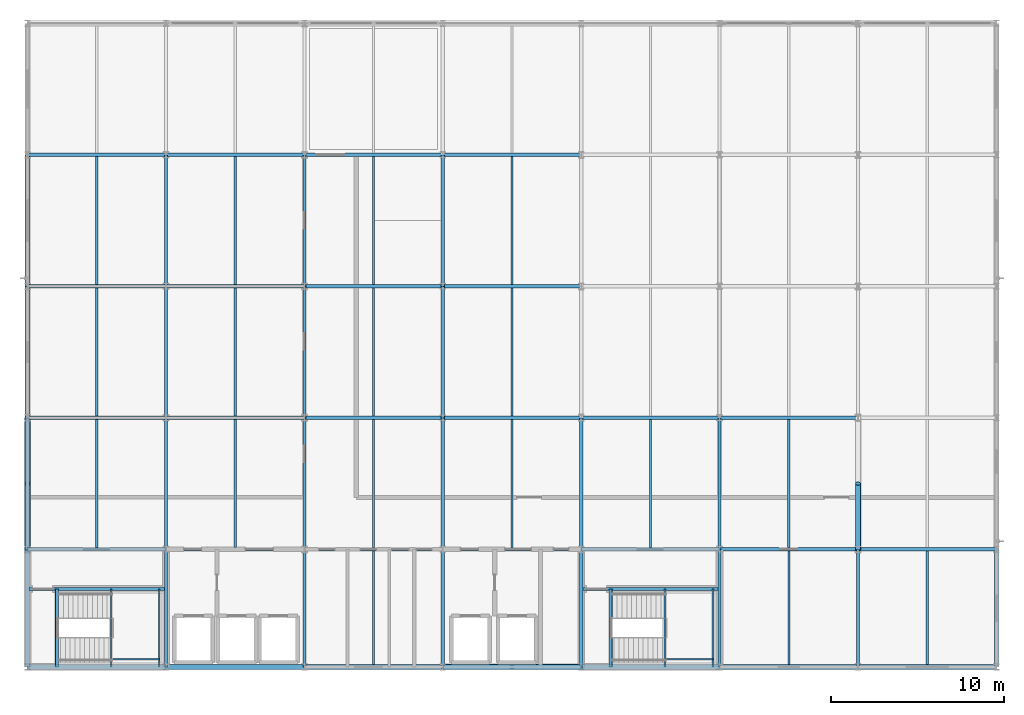
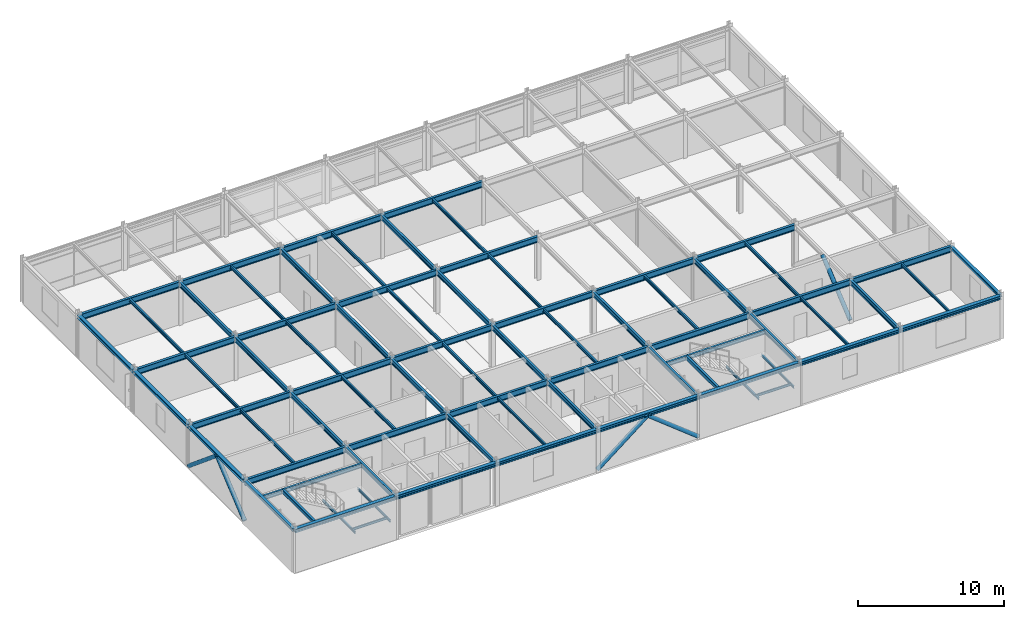
# One storey, part 4 of 15: 77 beams, 5 members.
"""IFC4 building model written with IfcOpenShell, lengths in metres."""

from ifc_helpers import new_model, si_unit, direction, frame, origin, origin_2d, place, context, subcontext, project, spatial, hollow_rectangle, hollow_circle, i_section, extrude, material, material_profile, profile_set, type_object, element, save


model = new_model("IFC4")

# Units and contexts
model_context = context("Model", 3, precision=1e-05, world=origin(), true_north=direction((0.0, 1.0)))
body_context = subcontext(model_context, "Body", "Model", "MODEL_VIEW")
ifc_project = project(units=[si_unit("LENGTHUNIT", "METRE"), si_unit("AREAUNIT", "SQUARE_METRE"), si_unit("VOLUMEUNIT", "CUBIC_METRE"), si_unit("PLANEANGLEUNIT", "RADIAN"), si_unit("MASSUNIT", "GRAM", prefix="KILO")], contexts=[model_context])

# Site, building, storey
site_placement = place(None, origin())
site = spatial("IfcSite", under=ifc_project, at=site_placement, CompositionType="ELEMENT")
building_placement = place(site_placement, origin())
building = spatial("IfcBuilding", under=site, at=building_placement, Name="Shalkamar Park Central Library", CompositionType="ELEMENT")
storey_placement = place(building_placement, frame((0.0, 0.0, 47.699951171875)))
storey = spatial("IfcBuildingStorey", under=building, at=storey_placement, Name="L12", CompositionType="ELEMENT", Elevation=47.699951171875)

# Beams
ifc_material = material(Name="Steel S355", Category="steel")
ifc_material_profile_1 = material_profile(ifc_material, i_section(OverallWidth=0.10009765625, OverallDepth=0.199951171875, WebThickness=0.005615234375, FlangeThickness=0.008544921875, FilletRadius=0.011962890625, at=origin_2d()), Name="IPE 200")
ifc_profile_set_1 = profile_set([ifc_material_profile_1], Name="Steel S355")
beam_type_1 = type_object("IfcBeamType", Name="Composite Floor Joist IPE200", PredefinedType="JOIST", material=ifc_profile_set_1)
for number, where, z_axis, x_axis, name in (
    (1, (169.840087890625, 248.39990234375, 1.570068359375), (0.0, 1.0, 0.0), (-1.0, 0.0, 0.0), "Stair Half-Landing Beam ST-T1-L12-1"),
    (2, (172.6201171875, 248.39990234375, 1.570068359375), (0.0, 1.0, 0.0), (-1.0, 0.0, 0.0), "Stair Half-Landing Beam ST-T1-L12-2"),
):
    element("IfcBeam", number, at=place(storey_placement, frame(where, z_axis=z_axis, x_axis=x_axis)), inside=storey, type_object=beam_type_1, Name=name, PredefinedType="JOIST", context=body_context, shape_type="SweptSolid", body=[
        extrude(i_section(OverallWidth=0.10009765625, OverallDepth=0.199951171875, WebThickness=0.005615234375, FlangeThickness=0.008544921875, FilletRadius=0.011962890625, at=origin_2d()), origin(), (0.0, 0.0, 1.0), 4.5),
    ])
beam_1_placement = place(storey_placement, frame((169.840087890625, 248.85009765625, 1.570068359375), z_axis=(1.0, 0.0, 0.0), x_axis=(0.0, 1.0, 0.0)))
element("IfcBeam", 3, at=beam_1_placement, inside=storey, type_object=beam_type_1, Name="Stair Half-Landing Cross Tie ST-T1-L12-3", PredefinedType="JOIST", context=body_context, shape_type="SweptSolid", body=[
    extrude(i_section(OverallWidth=0.10009765625, OverallDepth=0.199951171875, WebThickness=0.005615234375, FlangeThickness=0.008544921875, FilletRadius=0.011962890625, at=origin_2d()), origin(), (0.0, 0.0, 1.0), 2.780029296875),
])
for number, where, z_axis, x_axis, name in (
    (4, (201.840087890625, 248.39990234375, 1.570068359375), (0.0, 1.0, 0.0), (-1.0, 0.0, 0.0), "Stair Half-Landing Beam ST-T2-L12-1"),
    (5, (204.6201171875, 248.39990234375, 1.570068359375), (0.0, 1.0, 0.0), (-1.0, 0.0, 0.0), "Stair Half-Landing Beam ST-T2-L12-2"),
):
    element("IfcBeam", number, at=place(storey_placement, frame(where, z_axis=z_axis, x_axis=x_axis)), inside=storey, type_object=beam_type_1, Name=name, PredefinedType="JOIST", context=body_context, shape_type="SweptSolid", body=[
        extrude(i_section(OverallWidth=0.10009765625, OverallDepth=0.199951171875, WebThickness=0.005615234375, FlangeThickness=0.008544921875, FilletRadius=0.011962890625, at=origin_2d()), origin(), (0.0, 0.0, 1.0), 4.5),
    ])
beam_2_placement = place(storey_placement, frame((201.840087890625, 248.85009765625, 1.570068359375), z_axis=(1.0, 0.0, 0.0), x_axis=(0.0, 1.0, 0.0)))
element("IfcBeam", 6, at=beam_2_placement, inside=storey, type_object=beam_type_1, Name="Stair Half-Landing Cross Tie ST-T2-L12-3", PredefinedType="JOIST", context=body_context, shape_type="SweptSolid", body=[
    extrude(i_section(OverallWidth=0.10009765625, OverallDepth=0.199951171875, WebThickness=0.005615234375, FlangeThickness=0.008544921875, FilletRadius=0.011962890625, at=origin_2d()), origin(), (0.0, 0.0, 1.0), 2.780029296875),
])
ifc_material_profile_2 = material_profile(ifc_material, i_section(OverallWidth=0.1201171875, OverallDepth=0.239990234375, WebThickness=0.006103515625, FlangeThickness=0.009765625, FilletRadius=0.014892578125, at=origin_2d()), Name="IPE 240")
ifc_profile_set_2 = profile_set([ifc_material_profile_2], Name="Steel S355")
beam_type_2 = type_object("IfcBeamType", Name="Composite Floor Joist IPE240", PredefinedType="JOIST", material=ifc_profile_set_2)
for number, where, z_axis, x_axis, name in (
    (7, (185.0, 248.548095703125, 3.489990234375), (0.0, 1.0, 0.0), (-1.0, 0.0, 0.0), "Composite Joist 09/B-1 (L12)"),
    (8, (209.0, 248.548095703125, 3.489990234375), (0.0, 1.0, 0.0), (-1.0, 0.0, 0.0), "Composite Joist 12/B-1 (L12)"),
    (9, (217.0, 248.548095703125, 3.489990234375), (0.0, 1.0, 0.0), (-1.0, 0.0, 0.0), "Composite Joist 13/B-1 (L12)"),
):
    element("IfcBeam", number, at=place(storey_placement, frame(where, z_axis=z_axis, x_axis=x_axis)), inside=storey, type_object=beam_type_2, Name=name, PredefinedType="JOIST", context=body_context, shape_type="SweptSolid", body=[
        extrude(i_section(OverallWidth=0.1201171875, OverallDepth=0.239990234375, WebThickness=0.006103515625, FlangeThickness=0.009765625, FilletRadius=0.014892578125, at=origin_2d()), origin(), (0.0, 0.0, 1.0), 6.553955078125),
    ])
ifc_material_profile_3 = material_profile(ifc_material, i_section(OverallWidth=0.135009765625, OverallDepth=0.27001953125, WebThickness=0.006591796875, FlangeThickness=0.01025390625, FilletRadius=0.014892578125, at=origin_2d()), Name="IPE 270")
ifc_profile_set_3 = profile_set([ifc_material_profile_3], Name="Steel S355")
beam_type_3 = type_object("IfcBeamType", Name="Composite Floor Joist IPE270", PredefinedType="JOIST", material=ifc_profile_set_3)
beam_3_placement = place(storey_placement, frame((169.0, 255.298095703125, 3.47509765625), z_axis=(0.0, 1.0, 0.0), x_axis=(-1.0, 0.0, 0.0)))
element("IfcBeam", 10, at=beam_3_placement, inside=storey, type_object=beam_type_3, Name="Composite Joist 07/C-1 (L12)", PredefinedType="JOIST", context=body_context, shape_type="SweptSolid", body=[
    extrude(i_section(OverallWidth=0.135009765625, OverallDepth=0.27001953125, WebThickness=0.006591796875, FlangeThickness=0.01025390625, FilletRadius=0.014892578125, at=origin_2d()), origin(), (0.0, 0.0, 1.0), 7.40380859375),
])
for number, where, z_axis, x_axis, name in (
    (11, (169.0, 262.89794921875, 3.47509765625), (0.0, 1.0, 0.0), (-1.0, 0.0, 0.0), "Composite Joist 07/D-1 (L12)"),
    (12, (169.0, 270.498046875, 3.47509765625), (0.0, 1.0, 0.0), (-1.0, 0.0, 0.0), "Composite Joist 07/E-1 (L12)"),
):
    element("IfcBeam", number, at=place(storey_placement, frame(where, z_axis=z_axis, x_axis=x_axis)), inside=storey, type_object=beam_type_3, Name=name, PredefinedType="JOIST", context=body_context, shape_type="SweptSolid", body=[
        extrude(i_section(OverallWidth=0.135009765625, OverallDepth=0.27001953125, WebThickness=0.006591796875, FlangeThickness=0.01025390625, FilletRadius=0.014892578125, at=origin_2d()), origin(), (0.0, 0.0, 1.0), 7.404052734375),
    ])
beam_4_placement = place(storey_placement, frame((177.0, 255.298095703125, 3.47509765625), z_axis=(0.0, 1.0, 0.0), x_axis=(-1.0, 0.0, 0.0)))
element("IfcBeam", 13, at=beam_4_placement, inside=storey, type_object=beam_type_3, Name="Composite Joist 08/C-1 (L12)", PredefinedType="JOIST", context=body_context, shape_type="SweptSolid", body=[
    extrude(i_section(OverallWidth=0.135009765625, OverallDepth=0.27001953125, WebThickness=0.006591796875, FlangeThickness=0.01025390625, FilletRadius=0.014892578125, at=origin_2d()), origin(), (0.0, 0.0, 1.0), 7.40380859375),
])
for number, where, z_axis, x_axis, name in (
    (14, (177.0, 262.89794921875, 3.47509765625), (0.0, 1.0, 0.0), (-1.0, 0.0, 0.0), "Composite Joist 08/D-1 (L12)"),
    (15, (177.0, 270.498046875, 3.47509765625), (0.0, 1.0, 0.0), (-1.0, 0.0, 0.0), "Composite Joist 08/E-1 (L12)"),
):
    element("IfcBeam", number, at=place(storey_placement, frame(where, z_axis=z_axis, x_axis=x_axis)), inside=storey, type_object=beam_type_3, Name=name, PredefinedType="JOIST", context=body_context, shape_type="SweptSolid", body=[
        extrude(i_section(OverallWidth=0.135009765625, OverallDepth=0.27001953125, WebThickness=0.006591796875, FlangeThickness=0.01025390625, FilletRadius=0.014892578125, at=origin_2d()), origin(), (0.0, 0.0, 1.0), 7.404052734375),
    ])
beam_5_placement = place(storey_placement, frame((185.0, 255.298095703125, 3.47509765625), z_axis=(0.0, 1.0, 0.0), x_axis=(-1.0, 0.0, 0.0)))
element("IfcBeam", 16, at=beam_5_placement, inside=storey, type_object=beam_type_3, Name="Composite Joist 09/C-1 (L12)", PredefinedType="JOIST", context=body_context, shape_type="SweptSolid", body=[
    extrude(i_section(OverallWidth=0.135009765625, OverallDepth=0.27001953125, WebThickness=0.006591796875, FlangeThickness=0.01025390625, FilletRadius=0.014892578125, at=origin_2d()), origin(), (0.0, 0.0, 1.0), 7.40380859375),
])
for number, where, z_axis, x_axis, name in (
    (17, (185.0, 262.89794921875, 3.47509765625), (0.0, 1.0, 0.0), (-1.0, 0.0, 0.0), "Composite Joist 09/D-1 (L12)"),
    (18, (185.0, 270.498046875, 3.47509765625), (0.0, 1.0, 0.0), (-1.0, 0.0, 0.0), "Composite Joist 09/E-1 (L12)"),
):
    element("IfcBeam", number, at=place(storey_placement, frame(where, z_axis=z_axis, x_axis=x_axis)), inside=storey, type_object=beam_type_3, Name=name, PredefinedType="JOIST", context=body_context, shape_type="SweptSolid", body=[
        extrude(i_section(OverallWidth=0.135009765625, OverallDepth=0.27001953125, WebThickness=0.006591796875, FlangeThickness=0.01025390625, FilletRadius=0.014892578125, at=origin_2d()), origin(), (0.0, 0.0, 1.0), 7.404052734375),
    ])
beam_6_placement = place(storey_placement, frame((193.0, 255.298095703125, 3.47509765625), z_axis=(0.0, 1.0, 0.0), x_axis=(-1.0, 0.0, 0.0)))
element("IfcBeam", 19, at=beam_6_placement, inside=storey, type_object=beam_type_3, Name="Composite Joist 10/C-1 (L12)", PredefinedType="JOIST", context=body_context, shape_type="SweptSolid", body=[
    extrude(i_section(OverallWidth=0.135009765625, OverallDepth=0.27001953125, WebThickness=0.006591796875, FlangeThickness=0.01025390625, FilletRadius=0.014892578125, at=origin_2d()), origin(), (0.0, 0.0, 1.0), 7.40380859375),
])
for number, where, z_axis, x_axis, name in (
    (20, (193.0, 262.89794921875, 3.47509765625), (0.0, 1.0, 0.0), (-1.0, 0.0, 0.0), "Composite Joist 10/D-1 (L12)"),
    (21, (193.0, 270.498046875, 3.47509765625), (0.0, 1.0, 0.0), (-1.0, 0.0, 0.0), "Composite Joist 10/E-1 (L12)"),
):
    element("IfcBeam", number, at=place(storey_placement, frame(where, z_axis=z_axis, x_axis=x_axis)), inside=storey, type_object=beam_type_3, Name=name, PredefinedType="JOIST", context=body_context, shape_type="SweptSolid", body=[
        extrude(i_section(OverallWidth=0.135009765625, OverallDepth=0.27001953125, WebThickness=0.006591796875, FlangeThickness=0.01025390625, FilletRadius=0.014892578125, at=origin_2d()), origin(), (0.0, 0.0, 1.0), 7.404052734375),
    ])
for number, where, z_axis, x_axis, name in (
    (22, (201.0, 255.298095703125, 3.47509765625), (0.0, 1.0, 0.0), (-1.0, 0.0, 0.0), "Composite Joist 11/C-1 (L12)"),
    (23, (209.0, 255.298095703125, 3.47509765625), (0.0, 1.0, 0.0), (-1.0, 0.0, 0.0), "Composite Joist 12/C-1 (L12)"),
):
    element("IfcBeam", number, at=place(storey_placement, frame(where, z_axis=z_axis, x_axis=x_axis)), inside=storey, type_object=beam_type_3, Name=name, PredefinedType="JOIST", context=body_context, shape_type="SweptSolid", body=[
        extrude(i_section(OverallWidth=0.135009765625, OverallDepth=0.27001953125, WebThickness=0.006591796875, FlangeThickness=0.01025390625, FilletRadius=0.014892578125, at=origin_2d()), origin(), (0.0, 0.0, 1.0), 7.40380859375),
    ])

# Members
ifc_material_profile_4 = material_profile(ifc_material, hollow_circle(Radius=0.161865234375, WallThickness=0.012451171875, at=origin_2d()), Name="CHS 323.9x12.5")
ifc_profile_set_4 = profile_set([ifc_material_profile_4], Name="Steel S355")
member_type = type_object("IfcMemberType", Name="Diagonal Brace CHS323", PredefinedType="BRACE", material=ifc_profile_set_4)
for number, where, z_axis, x_axis, name in (
    (24, (165.0, 255.199951171875, 0.150146484375), (0.0, 0.768897051899, 0.639372601525), (-1.0, 0.0, 0.0), "Chevron Brace TW-W Leg A (L12)"),
    (25, (165.0, 262.800048828125, 0.150146484375), (0.0, -0.768897051899, 0.639372601525), (1.0, 0.0, 0.0), "Chevron Brace TW-W Leg B (L12)"),
    (26, (213.0, 255.199951171875, 0.150146484375), (0.0, 0.768897051899, 0.639372601525), (-1.0, 0.0, 0.0), "Chevron Brace TW-E Leg A (L12)"),
):
    element("IfcMember", number, at=place(storey_placement, frame(where, z_axis=z_axis, x_axis=x_axis)), inside=storey, type_object=member_type, Name=name, PredefinedType="BRACE", context=body_context, shape_type="SweptSolid", body=[
        extrude(hollow_circle(Radius=0.161865234375, WallThickness=0.012451171875, at=origin_2d()), origin(), (0.0, 0.0, 1.0), 4.942138671875),
    ])
for number, where, z_axis, x_axis, name in (
    (27, (189.0, 248.39990234375, 0.150146484375), (0.784690253871, 0.0, 0.619888058829), (0.0, 1.0, 0.0), "Chevron Brace TW-S Leg A (L12)"),
    (28, (197.0, 248.39990234375, 0.150146484375), (-0.784690253871, 0.0, 0.619888058829), (0.0, -1.0, 0.0), "Chevron Brace TW-S Leg B (L12)"),
):
    element("IfcMember", number, at=place(storey_placement, frame(where, z_axis=z_axis, x_axis=x_axis)), inside=storey, type_object=member_type, Name=name, PredefinedType="BRACE", context=body_context, shape_type="SweptSolid", body=[
        extrude(hollow_circle(Radius=0.161865234375, WallThickness=0.012451171875, at=origin_2d()), origin(), (0.0, 0.0, 1.0), 5.09765625),
    ])

# Beams
ifc_material_profile_5 = material_profile(ifc_material, i_section(OverallWidth=0.239990234375, OverallDepth=0.22998046875, WebThickness=0.007568359375, FlangeThickness=0.011962890625, FilletRadius=0.02099609375, at=origin_2d()), Name="HEA 240")
ifc_profile_set_5 = profile_set([ifc_material_profile_5], Name="Steel S355")
beam_type_4 = type_object("IfcBeamType", Name="Perimeter Spandrel Beam HEA240", PredefinedType="SPANDREL", material=ifc_profile_set_5)
for number, where, z_axis, x_axis, name in (
    (29, (165.0, 248.39990234375, 3.4951171875), (0.0, 1.0, 0.0), (-1.0, 0.0, 0.0), "Beam 07:B-C (L12)"),
    (30, (221.0, 248.39990234375, 3.4951171875), (0.0, 1.0, 0.0), (-1.0, 0.0, 0.0), "Beam 14:B-C (L12)"),
):
    element("IfcBeam", number, at=place(storey_placement, frame(where, z_axis=z_axis, x_axis=x_axis)), inside=storey, type_object=beam_type_4, Name=name, PredefinedType="SPANDREL", context=body_context, shape_type="SweptSolid", body=[
        extrude(i_section(OverallWidth=0.239990234375, OverallDepth=0.22998046875, WebThickness=0.007568359375, FlangeThickness=0.011962890625, FilletRadius=0.02099609375, at=origin_2d()), origin(), (0.0, 0.0, 1.0), 6.800048828125),
    ])
ifc_material_profile_6 = material_profile(ifc_material, i_section(OverallWidth=0.280029296875, OverallDepth=0.27001953125, WebThickness=0.008056640625, FlangeThickness=0.012939453125, FilletRadius=0.02392578125, at=origin_2d()), Name="HEA 280")
ifc_profile_set_6 = profile_set([ifc_material_profile_6], Name="Steel S355")
beam_type_5 = type_object("IfcBeamType", Name="Perimeter Spandrel Beam HEA280", PredefinedType="SPANDREL", material=ifc_profile_set_6)
beam_7_placement = place(storey_placement, frame((165.0, 255.199951171875, 3.47509765625), z_axis=(0.0, 1.0, 0.0), x_axis=(-1.0, 0.0, 0.0)))
element("IfcBeam", 31, at=beam_7_placement, inside=storey, type_object=beam_type_5, Name="Beam 07:C-D (L12)", PredefinedType="SPANDREL", context=body_context, shape_type="SweptSolid", body=[
    extrude(i_section(OverallWidth=0.280029296875, OverallDepth=0.27001953125, WebThickness=0.008056640625, FlangeThickness=0.012939453125, FilletRadius=0.02392578125, at=origin_2d()), origin(), (0.0, 0.0, 1.0), 7.60009765625),
])
beam_8_placement = place(storey_placement, frame((165.0, 262.800048828125, 3.47509765625), z_axis=(0.0, 1.0, 0.0), x_axis=(-1.0, 0.0, 0.0)))
element("IfcBeam", 32, at=beam_8_placement, inside=storey, type_object=beam_type_5, Name="Beam 07:D-E (L12)", PredefinedType="SPANDREL", context=body_context, shape_type="SweptSolid", body=[
    extrude(i_section(OverallWidth=0.280029296875, OverallDepth=0.27001953125, WebThickness=0.008056640625, FlangeThickness=0.012939453125, FilletRadius=0.02392578125, at=origin_2d()), origin(), (0.0, 0.0, 1.0), 7.599853515625),
])
beam_9_placement = place(storey_placement, frame((165.0, 270.39990234375, 3.47509765625), z_axis=(0.0, 1.0, 0.0), x_axis=(-1.0, 0.0, 0.0)))
element("IfcBeam", 33, at=beam_9_placement, inside=storey, type_object=beam_type_5, Name="Beam 07:E-F (L12)", PredefinedType="SPANDREL", context=body_context, shape_type="SweptSolid", body=[
    extrude(i_section(OverallWidth=0.280029296875, OverallDepth=0.27001953125, WebThickness=0.008056640625, FlangeThickness=0.012939453125, FilletRadius=0.02392578125, at=origin_2d()), origin(), (0.0, 0.0, 1.0), 7.60009765625),
])
ifc_material_profile_7 = material_profile(ifc_material, i_section(OverallWidth=0.300048828125, OverallDepth=0.31005859375, WebThickness=0.009033203125, FlangeThickness=0.015380859375, FilletRadius=0.027099609375, at=origin_2d()), Name="HEA 320")
ifc_profile_set_7 = profile_set([ifc_material_profile_7], Name="Steel S355")
beam_type_6 = type_object("IfcBeamType", Name="Perimeter Spandrel Beam HEA320", PredefinedType="SPANDREL", material=ifc_profile_set_7)
for number, where, z_axis, x_axis, name in (
    (34, (165.0, 248.39990234375, 3.455078125), (1.0, 0.0, 0.0), (0.0, 1.0, 0.0), "Beam B:07-08 (L12)"),
    (35, (173.0, 248.39990234375, 3.455078125), (1.0, 0.0, 0.0), (0.0, 1.0, 0.0), "Beam B:08-09 (L12)"),
    (36, (181.0, 248.39990234375, 3.455078125), (1.0, 0.0, 0.0), (0.0, 1.0, 0.0), "Beam B:09-10 (L12)"),
    (37, (189.0, 248.39990234375, 3.455078125), (1.0, 0.0, 0.0), (0.0, 1.0, 0.0), "Beam B:10-11 (L12)"),
    (38, (197.0, 248.39990234375, 3.455078125), (1.0, 0.0, 0.0), (0.0, 1.0, 0.0), "Beam B:11-12 (L12)"),
    (39, (205.0, 248.39990234375, 3.455078125), (1.0, 0.0, 0.0), (0.0, 1.0, 0.0), "Beam B:12-13 (L12)"),
    (40, (213.0, 248.39990234375, 3.455078125), (1.0, 0.0, 0.0), (0.0, 1.0, 0.0), "Beam B:13-14 (L12)"),
):
    element("IfcBeam", number, at=place(storey_placement, frame(where, z_axis=z_axis, x_axis=x_axis)), inside=storey, type_object=beam_type_6, Name=name, PredefinedType="SPANDREL", context=body_context, shape_type="SweptSolid", body=[
        extrude(i_section(OverallWidth=0.300048828125, OverallDepth=0.31005859375, WebThickness=0.009033203125, FlangeThickness=0.015380859375, FilletRadius=0.027099609375, at=origin_2d()), origin(), (0.0, 0.0, 1.0), 8.0),
    ])
ifc_material_profile_8 = material_profile(ifc_material, i_section(OverallWidth=0.169921875, OverallDepth=0.360107421875, WebThickness=0.008056640625, FlangeThickness=0.0126953125, FilletRadius=0.01806640625, at=origin_2d()), Name="IPE 360")
ifc_profile_set_8 = profile_set([ifc_material_profile_8], Name="Steel S355")
beam_type_7 = type_object("IfcBeamType", Name="Primary Girder IPE360", PredefinedType="BEAM", material=ifc_profile_set_8)
for number, where, z_axis, x_axis, name in (
    (41, (165.087890625, 252.89990234375, 3.429931640625), (1.0, 0.0, 0.0), (0.0, 1.0, 0.0), "CORE-T1 Stairwell Divider Beam (L12)"),
    (42, (197.087890625, 252.89990234375, 3.429931640625), (1.0, 0.0, 0.0), (0.0, 1.0, 0.0), "CORE-T2 Stairwell Divider Beam (L12)"),
):
    element("IfcBeam", number, at=place(storey_placement, frame(where, z_axis=z_axis, x_axis=x_axis)), inside=storey, type_object=beam_type_7, Name=name, PredefinedType="BEAM", context=body_context, shape_type="SweptSolid", body=[
        extrude(i_section(OverallWidth=0.169921875, OverallDepth=0.360107421875, WebThickness=0.008056640625, FlangeThickness=0.0126953125, FilletRadius=0.01806640625, at=origin_2d()), origin(), (0.0, 0.0, 1.0), 7.82421875),
    ])
ifc_material_profile_9 = material_profile(ifc_material, i_section(OverallWidth=0.179931640625, OverallDepth=0.39990234375, WebThickness=0.008544921875, FlangeThickness=0.013427734375, FilletRadius=0.02099609375, at=origin_2d()), Name="IPE 400")
ifc_profile_set_9 = profile_set([ifc_material_profile_9], Name="Steel S355")
beam_type_8 = type_object("IfcBeamType", Name="Primary Girder IPE400", PredefinedType="BEAM", material=ifc_profile_set_9)
beam_10_placement = place(storey_placement, frame((173.0, 248.39990234375, 3.41015625), z_axis=(0.0, 1.0, 0.0), x_axis=(-1.0, 0.0, 0.0)))
element("IfcBeam", 43, at=beam_10_placement, inside=storey, type_object=beam_type_8, Name="Beam 08:B-C (L12)", PredefinedType="BEAM", context=body_context, shape_type="SweptSolid", body=[
    extrude(i_section(OverallWidth=0.179931640625, OverallDepth=0.39990234375, WebThickness=0.008544921875, FlangeThickness=0.013427734375, FilletRadius=0.02099609375, at=origin_2d()), origin(), (0.0, 0.0, 1.0), 6.800048828125),
])
beam_11_placement = place(storey_placement, frame((173.0, 255.199951171875, 3.41015625), z_axis=(0.0, 1.0, 0.0), x_axis=(-1.0, 0.0, 0.0)))
element("IfcBeam", 44, at=beam_11_placement, inside=storey, type_object=beam_type_8, Name="Beam 08:C-D (L12)", PredefinedType="BEAM", context=body_context, shape_type="SweptSolid", body=[
    extrude(i_section(OverallWidth=0.179931640625, OverallDepth=0.39990234375, WebThickness=0.008544921875, FlangeThickness=0.013427734375, FilletRadius=0.02099609375, at=origin_2d()), origin(), (0.0, 0.0, 1.0), 7.60009765625),
])
beam_12_placement = place(storey_placement, frame((173.0, 262.800048828125, 3.41015625), z_axis=(0.0, 1.0, 0.0), x_axis=(-1.0, 0.0, 0.0)))
element("IfcBeam", 45, at=beam_12_placement, inside=storey, type_object=beam_type_8, Name="Beam 08:D-E (L12)", PredefinedType="BEAM", context=body_context, shape_type="SweptSolid", body=[
    extrude(i_section(OverallWidth=0.179931640625, OverallDepth=0.39990234375, WebThickness=0.008544921875, FlangeThickness=0.013427734375, FilletRadius=0.02099609375, at=origin_2d()), origin(), (0.0, 0.0, 1.0), 7.599853515625),
])
beam_13_placement = place(storey_placement, frame((173.0, 270.39990234375, 3.41015625), z_axis=(0.0, 1.0, 0.0), x_axis=(-1.0, 0.0, 0.0)))
element("IfcBeam", 46, at=beam_13_placement, inside=storey, type_object=beam_type_8, Name="Beam 08:E-F (L12)", PredefinedType="BEAM", context=body_context, shape_type="SweptSolid", body=[
    extrude(i_section(OverallWidth=0.179931640625, OverallDepth=0.39990234375, WebThickness=0.008544921875, FlangeThickness=0.013427734375, FilletRadius=0.02099609375, at=origin_2d()), origin(), (0.0, 0.0, 1.0), 7.60009765625),
])
beam_14_placement = place(storey_placement, frame((181.0, 248.39990234375, 3.41015625), z_axis=(0.0, 1.0, 0.0), x_axis=(-1.0, 0.0, 0.0)))
element("IfcBeam", 47, at=beam_14_placement, inside=storey, type_object=beam_type_8, Name="Beam 09:B-C (L12)", PredefinedType="BEAM", context=body_context, shape_type="SweptSolid", body=[
    extrude(i_section(OverallWidth=0.179931640625, OverallDepth=0.39990234375, WebThickness=0.008544921875, FlangeThickness=0.013427734375, FilletRadius=0.02099609375, at=origin_2d()), origin(), (0.0, 0.0, 1.0), 6.800048828125),
])
beam_15_placement = place(storey_placement, frame((181.0, 255.199951171875, 3.41015625), z_axis=(0.0, 1.0, 0.0), x_axis=(-1.0, 0.0, 0.0)))
element("IfcBeam", 48, at=beam_15_placement, inside=storey, type_object=beam_type_8, Name="Beam 09:C-D (L12)", PredefinedType="BEAM", context=body_context, shape_type="SweptSolid", body=[
    extrude(i_section(OverallWidth=0.179931640625, OverallDepth=0.39990234375, WebThickness=0.008544921875, FlangeThickness=0.013427734375, FilletRadius=0.02099609375, at=origin_2d()), origin(), (0.0, 0.0, 1.0), 7.60009765625),
])
beam_16_placement = place(storey_placement, frame((181.0, 262.800048828125, 3.41015625), z_axis=(0.0, 1.0, 0.0), x_axis=(-1.0, 0.0, 0.0)))
element("IfcBeam", 49, at=beam_16_placement, inside=storey, type_object=beam_type_8, Name="Beam 09:D-E (L12)", PredefinedType="BEAM", context=body_context, shape_type="SweptSolid", body=[
    extrude(i_section(OverallWidth=0.179931640625, OverallDepth=0.39990234375, WebThickness=0.008544921875, FlangeThickness=0.013427734375, FilletRadius=0.02099609375, at=origin_2d()), origin(), (0.0, 0.0, 1.0), 7.599853515625),
])
beam_17_placement = place(storey_placement, frame((181.0, 270.39990234375, 3.41015625), z_axis=(0.0, 1.0, 0.0), x_axis=(-1.0, 0.0, 0.0)))
element("IfcBeam", 50, at=beam_17_placement, inside=storey, type_object=beam_type_8, Name="Beam 09:E-F (L12)", PredefinedType="BEAM", context=body_context, shape_type="SweptSolid", body=[
    extrude(i_section(OverallWidth=0.179931640625, OverallDepth=0.39990234375, WebThickness=0.008544921875, FlangeThickness=0.013427734375, FilletRadius=0.02099609375, at=origin_2d()), origin(), (0.0, 0.0, 1.0), 7.60009765625),
])
beam_18_placement = place(storey_placement, frame((189.0, 248.39990234375, 3.41015625), z_axis=(0.0, 1.0, 0.0), x_axis=(-1.0, 0.0, 0.0)))
element("IfcBeam", 51, at=beam_18_placement, inside=storey, type_object=beam_type_8, Name="Beam 10:B-C (L12)", PredefinedType="BEAM", context=body_context, shape_type="SweptSolid", body=[
    extrude(i_section(OverallWidth=0.179931640625, OverallDepth=0.39990234375, WebThickness=0.008544921875, FlangeThickness=0.013427734375, FilletRadius=0.02099609375, at=origin_2d()), origin(), (0.0, 0.0, 1.0), 6.800048828125),
])
beam_19_placement = place(storey_placement, frame((189.0, 255.199951171875, 3.41015625), z_axis=(0.0, 1.0, 0.0), x_axis=(-1.0, 0.0, 0.0)))
element("IfcBeam", 52, at=beam_19_placement, inside=storey, type_object=beam_type_8, Name="Beam 10:C-D (L12)", PredefinedType="BEAM", context=body_context, shape_type="SweptSolid", body=[
    extrude(i_section(OverallWidth=0.179931640625, OverallDepth=0.39990234375, WebThickness=0.008544921875, FlangeThickness=0.013427734375, FilletRadius=0.02099609375, at=origin_2d()), origin(), (0.0, 0.0, 1.0), 7.60009765625),
])
beam_20_placement = place(storey_placement, frame((189.0, 262.800048828125, 3.41015625), z_axis=(0.0, 1.0, 0.0), x_axis=(-1.0, 0.0, 0.0)))
element("IfcBeam", 53, at=beam_20_placement, inside=storey, type_object=beam_type_8, Name="Beam 10:D-E (L12)", PredefinedType="BEAM", context=body_context, shape_type="SweptSolid", body=[
    extrude(i_section(OverallWidth=0.179931640625, OverallDepth=0.39990234375, WebThickness=0.008544921875, FlangeThickness=0.013427734375, FilletRadius=0.02099609375, at=origin_2d()), origin(), (0.0, 0.0, 1.0), 7.599853515625),
])
beam_21_placement = place(storey_placement, frame((189.0, 270.39990234375, 3.41015625), z_axis=(0.0, 1.0, 0.0), x_axis=(-1.0, 0.0, 0.0)))
element("IfcBeam", 54, at=beam_21_placement, inside=storey, type_object=beam_type_8, Name="Beam 10:E-F (L12)", PredefinedType="BEAM", context=body_context, shape_type="SweptSolid", body=[
    extrude(i_section(OverallWidth=0.179931640625, OverallDepth=0.39990234375, WebThickness=0.008544921875, FlangeThickness=0.013427734375, FilletRadius=0.02099609375, at=origin_2d()), origin(), (0.0, 0.0, 1.0), 7.60009765625),
])
beam_22_placement = place(storey_placement, frame((197.0, 248.39990234375, 3.41015625), z_axis=(0.0, 1.0, 0.0), x_axis=(-1.0, 0.0, 0.0)))
element("IfcBeam", 55, at=beam_22_placement, inside=storey, type_object=beam_type_8, Name="Beam 11:B-C (L12)", PredefinedType="BEAM", context=body_context, shape_type="SweptSolid", body=[
    extrude(i_section(OverallWidth=0.179931640625, OverallDepth=0.39990234375, WebThickness=0.008544921875, FlangeThickness=0.013427734375, FilletRadius=0.02099609375, at=origin_2d()), origin(), (0.0, 0.0, 1.0), 6.800048828125),
])
beam_23_placement = place(storey_placement, frame((197.0, 255.199951171875, 3.41015625), z_axis=(0.0, 1.0, 0.0), x_axis=(-1.0, 0.0, 0.0)))
element("IfcBeam", 56, at=beam_23_placement, inside=storey, type_object=beam_type_8, Name="Beam 11:C-D (L12)", PredefinedType="BEAM", context=body_context, shape_type="SweptSolid", body=[
    extrude(i_section(OverallWidth=0.179931640625, OverallDepth=0.39990234375, WebThickness=0.008544921875, FlangeThickness=0.013427734375, FilletRadius=0.02099609375, at=origin_2d()), origin(), (0.0, 0.0, 1.0), 7.60009765625),
])
beam_24_placement = place(storey_placement, frame((205.0, 248.39990234375, 3.41015625), z_axis=(0.0, 1.0, 0.0), x_axis=(-1.0, 0.0, 0.0)))
element("IfcBeam", 57, at=beam_24_placement, inside=storey, type_object=beam_type_8, Name="Beam 12:B-C (L12)", PredefinedType="BEAM", context=body_context, shape_type="SweptSolid", body=[
    extrude(i_section(OverallWidth=0.179931640625, OverallDepth=0.39990234375, WebThickness=0.008544921875, FlangeThickness=0.013427734375, FilletRadius=0.02099609375, at=origin_2d()), origin(), (0.0, 0.0, 1.0), 6.800048828125),
])
beam_25_placement = place(storey_placement, frame((205.0, 255.199951171875, 3.41015625), z_axis=(0.0, 1.0, 0.0), x_axis=(-1.0, 0.0, 0.0)))
element("IfcBeam", 58, at=beam_25_placement, inside=storey, type_object=beam_type_8, Name="Beam 12:C-D (L12)", PredefinedType="BEAM", context=body_context, shape_type="SweptSolid", body=[
    extrude(i_section(OverallWidth=0.179931640625, OverallDepth=0.39990234375, WebThickness=0.008544921875, FlangeThickness=0.013427734375, FilletRadius=0.02099609375, at=origin_2d()), origin(), (0.0, 0.0, 1.0), 7.60009765625),
])
beam_26_placement = place(storey_placement, frame((213.0, 248.39990234375, 3.41015625), z_axis=(0.0, 1.0, 0.0), x_axis=(-1.0, 0.0, 0.0)))
element("IfcBeam", 59, at=beam_26_placement, inside=storey, type_object=beam_type_8, Name="Beam 13:B-C (L12)", PredefinedType="BEAM", context=body_context, shape_type="SweptSolid", body=[
    extrude(i_section(OverallWidth=0.179931640625, OverallDepth=0.39990234375, WebThickness=0.008544921875, FlangeThickness=0.013427734375, FilletRadius=0.02099609375, at=origin_2d()), origin(), (0.0, 0.0, 1.0), 6.800048828125),
])
ifc_material_profile_10 = material_profile(ifc_material, i_section(OverallWidth=0.199951171875, OverallDepth=0.5, WebThickness=0.01025390625, FlangeThickness=0.01611328125, FilletRadius=0.02099609375, at=origin_2d()), Name="IPE 500")
ifc_profile_set_10 = profile_set([ifc_material_profile_10], Name="Steel S355")
beam_type_9 = type_object("IfcBeamType", Name="Primary Girder IPE500", PredefinedType="BEAM", material=ifc_profile_set_10)
for number, where, z_axis, x_axis, name in (
    (60, (165.0, 255.199951171875, 3.360107421875), (1.0, 0.0, 0.0), (0.0, 1.0, 0.0), "Beam C:07-08 (L12)"),
    (61, (173.0, 255.199951171875, 3.360107421875), (1.0, 0.0, 0.0), (0.0, 1.0, 0.0), "Beam C:08-09 (L12)"),
    (62, (181.0, 255.199951171875, 3.360107421875), (1.0, 0.0, 0.0), (0.0, 1.0, 0.0), "Beam C:09-10 (L12)"),
    (63, (189.0, 255.199951171875, 3.360107421875), (1.0, 0.0, 0.0), (0.0, 1.0, 0.0), "Beam C:10-11 (L12)"),
    (64, (197.0, 255.199951171875, 3.360107421875), (1.0, 0.0, 0.0), (0.0, 1.0, 0.0), "Beam C:11-12 (L12)"),
    (65, (205.0, 255.199951171875, 3.360107421875), (1.0, 0.0, 0.0), (0.0, 1.0, 0.0), "Beam C:12-13 (L12)"),
    (66, (213.0, 255.199951171875, 3.360107421875), (1.0, 0.0, 0.0), (0.0, 1.0, 0.0), "Beam C:13-14 (L12)"),
    (67, (165.0, 262.800048828125, 3.360107421875), (1.0, 0.0, 0.0), (0.0, 1.0, 0.0), "Beam D:07-08 (L12)"),
    (68, (173.0, 262.800048828125, 3.360107421875), (1.0, 0.0, 0.0), (0.0, 1.0, 0.0), "Beam D:08-09 (L12)"),
    (69, (181.0, 262.800048828125, 3.360107421875), (1.0, 0.0, 0.0), (0.0, 1.0, 0.0), "Beam D:09-10 (L12)"),
    (70, (189.0, 262.800048828125, 3.360107421875), (1.0, 0.0, 0.0), (0.0, 1.0, 0.0), "Beam D:10-11 (L12)"),
    (71, (197.0, 262.800048828125, 3.360107421875), (1.0, 0.0, 0.0), (0.0, 1.0, 0.0), "Beam D:11-12 (L12)"),
    (72, (205.0, 262.800048828125, 3.360107421875), (1.0, 0.0, 0.0), (0.0, 1.0, 0.0), "Beam D:12-13 (L12)"),
    (73, (165.0, 270.39990234375, 3.360107421875), (1.0, 0.0, 0.0), (0.0, 1.0, 0.0), "Beam E:07-08 (L12)"),
    (74, (173.0, 270.39990234375, 3.360107421875), (1.0, 0.0, 0.0), (0.0, 1.0, 0.0), "Beam E:08-09 (L12)"),
    (75, (181.0, 270.39990234375, 3.360107421875), (1.0, 0.0, 0.0), (0.0, 1.0, 0.0), "Beam E:09-10 (L12)"),
    (76, (189.0, 270.39990234375, 3.360107421875), (1.0, 0.0, 0.0), (0.0, 1.0, 0.0), "Beam E:10-11 (L12)"),
    (77, (165.0, 278.0, 3.360107421875), (1.0, 0.0, 0.0), (0.0, 1.0, 0.0), "Beam F:07-08 (L12)"),
    (78, (173.0, 278.0, 3.360107421875), (1.0, 0.0, 0.0), (0.0, 1.0, 0.0), "Beam F:08-09 (L12)"),
    (79, (181.0, 278.0, 3.360107421875), (1.0, 0.0, 0.0), (0.0, 1.0, 0.0), "Beam F:09-10 (L12)"),
    (80, (189.0, 278.0, 3.360107421875), (1.0, 0.0, 0.0), (0.0, 1.0, 0.0), "Beam F:10-11 (L12)"),
):
    element("IfcBeam", number, at=place(storey_placement, frame(where, z_axis=z_axis, x_axis=x_axis)), inside=storey, type_object=beam_type_9, Name=name, PredefinedType="BEAM", context=body_context, shape_type="SweptSolid", body=[
        extrude(i_section(OverallWidth=0.199951171875, OverallDepth=0.5, WebThickness=0.01025390625, FlangeThickness=0.01611328125, FilletRadius=0.02099609375, at=origin_2d()), origin(), (0.0, 0.0, 1.0), 8.0),
    ])
ifc_material_profile_11 = material_profile(ifc_material, hollow_rectangle(XDim=0.199951171875, YDim=0.300048828125, WallThickness=0.011962890625, InnerFilletRadius=0.011962890625, OuterFilletRadius=0.01806640625, at=origin_2d()), Name="RHS 300x200x12")
ifc_profile_set_11 = profile_set([ifc_material_profile_11], Name="Steel S355")
beam_type_10 = type_object("IfcBeamType", Name="Stair Trimmer Box RHS300x200", PredefinedType="BEAM", material=ifc_profile_set_11)
for number, where, z_axis, x_axis, name in (
    (81, (166.699951171875, 248.39990234375, 3.4599609375), (0.0, 1.0, 0.0), (-1.0, 0.0, 0.0), "Stair Arrival Trimmer Girder ST-T1-L12"),
    (82, (198.699951171875, 248.39990234375, 3.4599609375), (0.0, 1.0, 0.0), (-1.0, 0.0, 0.0), "Stair Arrival Trimmer Girder ST-T2-L12"),
):
    element("IfcBeam", number, at=place(storey_placement, frame(where, z_axis=z_axis, x_axis=x_axis)), inside=storey, type_object=beam_type_10, Name=name, PredefinedType="BEAM", context=body_context, shape_type="SweptSolid", body=[
        extrude(hollow_rectangle(XDim=0.199951171875, YDim=0.300048828125, WallThickness=0.011962890625, InnerFilletRadius=0.011962890625, OuterFilletRadius=0.01806640625, at=origin_2d()), origin(), (0.0, 0.0, 1.0), 4.5),
    ])

save(model, "model.ifc")
